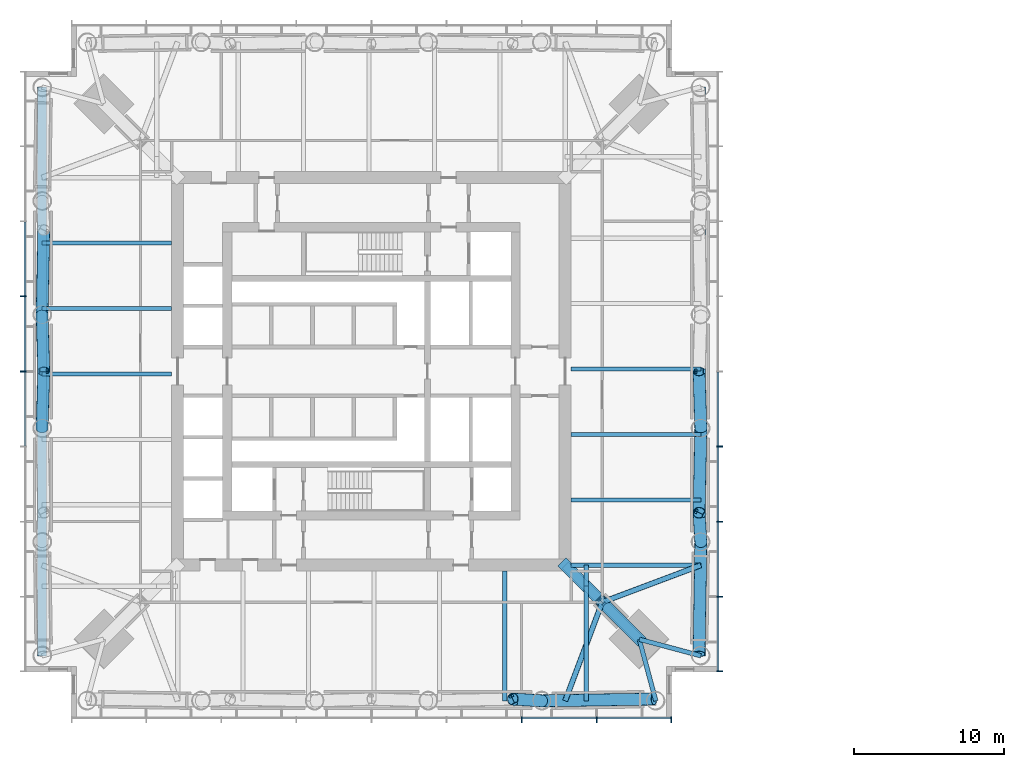
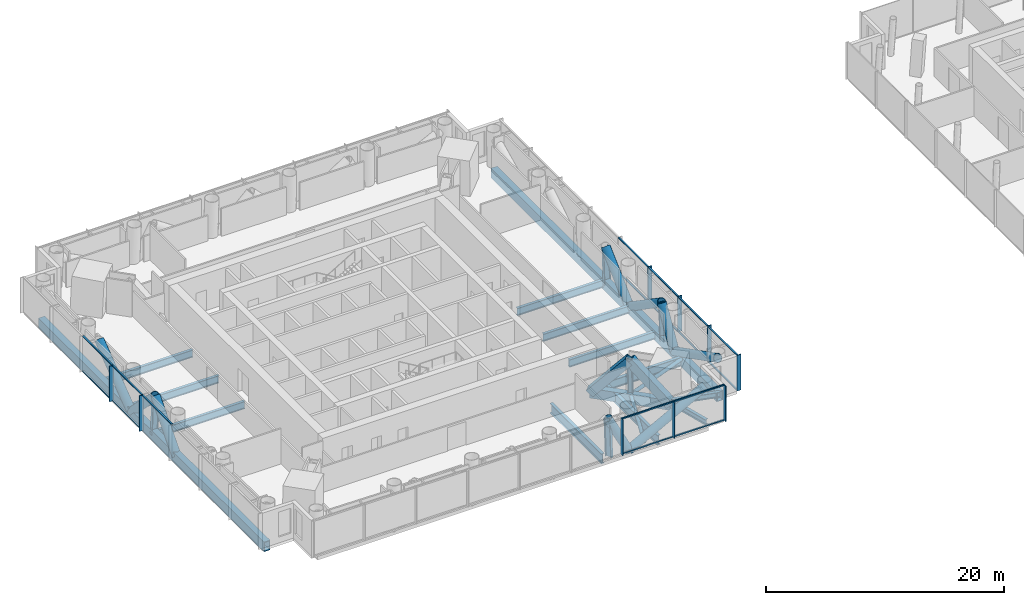
# One storey, part 3 of 18: 47 members, 12 beams, 3 elements without a shape of their own.
"""IFC4 building model written with IfcOpenShell, lengths in metres."""

from ifc_helpers import new_model, si_unit, direction, frame, origin, origin_2d, place, context, subcontext, project, spatial, rectangle, hollow_rectangle, hollow_circle, i_section, extrude, material, material_profile, profile_set, type_object, element, aggregate, save


model = new_model("IFC4")

# Units and contexts
model_context = context("Model", 3, precision=1e-05, world=origin(), true_north=direction((0.0, 1.0)))
body_context = subcontext(model_context, "Body", "Model", "MODEL_VIEW")
ifc_project = project(units=[si_unit("LENGTHUNIT", "METRE"), si_unit("AREAUNIT", "SQUARE_METRE"), si_unit("VOLUMEUNIT", "CUBIC_METRE"), si_unit("PLANEANGLEUNIT", "RADIAN"), si_unit("MASSUNIT", "GRAM", prefix="KILO")], contexts=[model_context])

# Site, building, storey
site_placement = place(None, origin())
site = spatial("IfcSite", under=ifc_project, at=site_placement, CompositionType="ELEMENT")
building_placement = place(site_placement, origin())
building = spatial("IfcBuilding", under=site, at=building_placement, Name="Ostroluk Exchange", CompositionType="ELEMENT")
storey_placement = place(building_placement, frame((0.0, 0.0, 85.60009765625)))
storey = spatial("IfcBuildingStorey", under=building, at=storey_placement, Name="L21", CompositionType="ELEMENT", Elevation=85.60009765625)

# Members
ifc_material_1 = material(Name="Steel S460", Category="steel")
ifc_material_profile_1 = material_profile(ifc_material_1, hollow_rectangle(XDim=0.60009765625, YDim=1.0, WallThickness=0.06005859375, at=origin_2d()), Name="BOX 600x1000x60")
ifc_profile_set_1 = profile_set([ifc_material_profile_1], Name="Steel S460")
member_type_1 = type_object("IfcMemberType", Name="Belt truss chord BOX 600x1000x60", PredefinedType="CHORD", material=ifc_profile_set_1)
for number, where, z_axis, x_axis, name in (
    (1, (66.935791015625, 27.064208984375, -0.780029296875), (0.0, 1.0, 0.0), (-1.0, 0.0, 0.0), "Belt truss 1 east chord 2"),
    (2, (23.064208984375, 64.935791015625, -0.780029296875), (0.0, -1.0, 0.0), (1.0, 0.0, 0.0), "Belt truss 1 west chord 2"),
):
    element("IfcMember", number, at=place(storey_placement, frame(where, z_axis=z_axis, x_axis=x_axis)), inside=storey, type_object=member_type_1, Name=name, PredefinedType="CHORD", context=body_context, shape_type="SweptSolid", body=[
        extrude(hollow_rectangle(XDim=0.60009765625, YDim=1.0, WallThickness=0.06005859375, at=origin_2d()), origin(), (0.0, 0.0, 1.0), 37.87158203125),
    ])
ifc_material_2 = material(Name="Steel S460", Category="steel")
ifc_material_profile_2 = material_profile(ifc_material_2, hollow_circle(Radius=0.406494140625, WallThickness=0.030029296875, at=origin_2d()), Name="CHS 813x30")
ifc_profile_set_2 = profile_set([ifc_material_profile_2], Name="Steel S460")
member_type_2 = type_object("IfcMemberType", Name="Belt truss diagonal CHS 813x30", PredefinedType="BRACE", material=ifc_profile_set_2)
member_1_placement = place(storey_placement, frame((66.935791015625, 34.638671875, -0.780029296875), z_axis=(-0.014468546103, -0.886910254783, 0.461715129853), x_axis=(0.999866962595, -0.016311257162, 0.0)))
element("IfcMember", 3, at=member_1_placement, inside=storey, type_object=member_type_2, Name="Belt truss 1 east diagonal 2.1", PredefinedType="BRACE", context=body_context, shape_type="SweptSolid", body=[
    extrude(hollow_circle(Radius=0.406494140625, WallThickness=0.030029296875, at=origin_2d()), origin(), (0.0, 0.0, 1.0), 8.403076171875),
])
member_2_placement = place(storey_placement, frame((66.935791015625, 34.638671875, -0.780029296875), z_axis=(-0.027976305897, 0.449643277912, 0.892769986579), x_axis=(-0.998070006554, -0.062098808504, 0.0)))
element("IfcMember", 4, at=member_2_placement, inside=storey, type_object=member_type_2, Name="Belt truss 1 east diagonal 2.2", PredefinedType="BRACE", context=body_context, shape_type="SweptSolid", body=[
    extrude(hollow_circle(Radius=0.406494140625, WallThickness=0.030029296875, at=origin_2d()), origin(), (0.0, 0.0, 1.0), 4.345947265625),
])
member_3_placement = place(storey_placement, frame((66.935791015625, 42.212890625, -0.780029296875), z_axis=(-0.017800204783, -0.822812678906, 0.568033844187), x_axis=(0.999766080921, -0.021628301837, 0.0)))
element("IfcMember", 5, at=member_3_placement, inside=storey, type_object=member_type_2, Name="Belt truss 1 east diagonal 2.3", PredefinedType="BRACE", context=body_context, shape_type="SweptSolid", body=[
    extrude(hollow_circle(Radius=0.406494140625, WallThickness=0.030029296875, at=origin_2d()), origin(), (0.0, 0.0, 1.0), 6.830322265625),
])
member_4_placement = place(storey_placement, frame((66.935791015625, 42.212890625, -0.780029296875), z_axis=(-0.022419112202, 0.69832383229, 0.715430785376), x_axis=(-0.999485058916, -0.032087645651, 0.0)))
element("IfcMember", 6, at=member_4_placement, inside=storey, type_object=member_type_2, Name="Belt truss 1 east diagonal 2.4", PredefinedType="BRACE", context=body_context, shape_type="SweptSolid", body=[
    extrude(hollow_circle(Radius=0.406494140625, WallThickness=0.030029296875, at=origin_2d()), origin(), (0.0, 0.0, 1.0), 5.423095703125),
])
member_5_placement = place(storey_placement, frame((23.064208984375, 49.787109375, -0.780029296875), z_axis=(0.017800204783, 0.822812678906, 0.568033844187), x_axis=(-0.999766080921, 0.021628301837, 0.0)))
element("IfcMember", 7, at=member_5_placement, inside=storey, type_object=member_type_2, Name="Belt truss 1 west diagonal 2.3", PredefinedType="BRACE", context=body_context, shape_type="SweptSolid", body=[
    extrude(hollow_circle(Radius=0.406494140625, WallThickness=0.030029296875, at=origin_2d()), origin(), (0.0, 0.0, 1.0), 6.830322265625),
])
for number, where, z_axis, x_axis, name in (
    (8, (23.064208984375, 49.787109375, -0.780029296875), (0.022419112202, -0.69832383229, 0.715430785376), (0.999485058916, 0.032087645651, 0.0), "Belt truss 1 west diagonal 2.4"),
    (9, (23.064208984375, 42.212890625, -0.780029296875), (0.022419112202, 0.69832383229, 0.715430785376), (-0.999485058916, 0.032087645651, 0.0), "Belt truss 1 west diagonal 2.5"),
):
    element("IfcMember", number, at=place(storey_placement, frame(where, z_axis=z_axis, x_axis=x_axis)), inside=storey, type_object=member_type_2, Name=name, PredefinedType="BRACE", context=body_context, shape_type="SweptSolid", body=[
        extrude(hollow_circle(Radius=0.406494140625, WallThickness=0.030029296875, at=origin_2d()), origin(), (0.0, 0.0, 1.0), 5.423095703125),
    ])
member_6_placement = place(storey_placement, frame((56.361328125, 24.064208984375, -0.780029296875), z_axis=(-0.449643277912, 0.027976305897, 0.892769986579), x_axis=(-0.062098808504, -0.998070006554, 0.0)))
element("IfcMember", 10, at=member_6_placement, inside=storey, type_object=member_type_2, Name="Belt truss 1 south diagonal 2.7", PredefinedType="BRACE", context=body_context, shape_type="SweptSolid", body=[
    extrude(hollow_circle(Radius=0.406494140625, WallThickness=0.030029296875, at=origin_2d()), origin(), (0.0, 0.0, 1.0), 4.345947265625),
])
member_7_placement = place(storey_placement, frame((56.361328125, 24.064208984375, -0.780029296875), z_axis=(0.886910254783, 0.014468546103, 0.461715129853), x_axis=(-0.016311257162, 0.999866962595, 0.0)))
element("IfcMember", 11, at=member_7_placement, inside=storey, type_object=member_type_2, Name="Belt truss 1 south diagonal 2.8", PredefinedType="BRACE", context=body_context, shape_type="SweptSolid", body=[
    extrude(hollow_circle(Radius=0.406494140625, WallThickness=0.030029296875, at=origin_2d()), origin(), (0.0, 0.0, 1.0), 8.403076171875),
])
ifc_material_3 = material(Name="Steel S460", Category="steel")
ifc_material_profile_3 = material_profile(ifc_material_3, i_section(OverallWidth=0.304931640625, OverallDepth=0.6201171875, WebThickness=0.02099609375, FlangeThickness=0.0400390625, FilletRadius=0.027099609375, at=origin_2d()), Name="HEM 600")
ifc_profile_set_3 = profile_set([ifc_material_profile_3], Name="Steel S460")
member_type_3 = type_object("IfcMemberType", Name="Belt truss post HEM 600", PredefinedType="POST", material=ifc_profile_set_3)
member_8_placement = place(storey_placement, frame((66.935791015625, 36.5322265625, -0.780029296875), z_axis=(-0.031317337633, 0.015595782596, 0.999387810576), x_axis=(-0.445775033553, -0.895145027055, 0.0)))
element("IfcMember", 12, at=member_8_placement, inside=storey, type_object=member_type_3, Name="Belt truss 1 east post 2.2", PredefinedType="POST", context=body_context, shape_type="SweptSolid", body=[
    extrude(i_section(OverallWidth=0.304931640625, OverallDepth=0.6201171875, WebThickness=0.02099609375, FlangeThickness=0.0400390625, FilletRadius=0.027099609375, at=origin_2d()), origin(), (0.0, 0.0, 1.0), 3.88232421875),
])
for number, where, z_axis, x_axis, name in (
    (13, (66.935791015625, 46.0, -0.780029296875), (-0.031321146962, 0.0, 0.999509372519), (0.0, -1.0, 0.0), "Belt truss 1 east post 2.4"),
    (14, (23.064208984375, 46.0, -0.780029296875), (0.031321146962, 0.0, 0.999509372519), (0.0, 1.0, 0.0), "Belt truss 1 west post 2.4"),
):
    element("IfcMember", number, at=place(storey_placement, frame(where, z_axis=z_axis, x_axis=x_axis)), inside=storey, type_object=member_type_3, Name=name, PredefinedType="POST", context=body_context, shape_type="SweptSolid", body=[
        extrude(i_section(OverallWidth=0.304931640625, OverallDepth=0.6201171875, WebThickness=0.02099609375, FlangeThickness=0.0400390625, FilletRadius=0.027099609375, at=origin_2d()), origin(), (0.0, 0.0, 1.0), 3.8818359375),
    ])
member_9_placement = place(storey_placement, frame((54.4677734375, 24.064208984375, -0.780029296875), z_axis=(-0.015595782596, 0.031317337633, 0.999387810576), x_axis=(-0.895145027055, -0.445775033553, 0.0)))
element("IfcMember", 15, at=member_9_placement, inside=storey, type_object=member_type_3, Name="Belt truss 1 south post 2.6", PredefinedType="POST", context=body_context, shape_type="SweptSolid", body=[
    extrude(i_section(OverallWidth=0.304931640625, OverallDepth=0.6201171875, WebThickness=0.02099609375, FlangeThickness=0.0400390625, FilletRadius=0.027099609375, at=origin_2d()), origin(), (0.0, 0.0, 1.0), 3.88232421875),
])

# Beams
ifc_material_4 = material(Name="Steel S355", Category="steel")
ifc_material_profile_4 = material_profile(ifc_material_4, i_section(OverallWidth=0.300048828125, OverallDepth=0.550048828125, WebThickness=0.014892578125, FlangeThickness=0.029052734375, FilletRadius=0.027099609375, at=origin_2d()), Name="HEB 550")
ifc_profile_set_4 = profile_set([ifc_material_profile_4], Name="Steel S355")
beam_type_1 = type_object("IfcBeamType", Name="Corner edge beam HEB 550", PredefinedType="SPANDREL", material=ifc_profile_set_4)
for number, where, z_axis, x_axis, name in (
    (16, (62.835693359375, 28.164306640625, -0.55517578125), (0.259144268261, -0.965838624319, 0.0), (0.965838624319, 0.259144268261, 0.0), "T1 south corner edge beam a"),
    (17, (62.835693359375, 28.164306640625, -0.55517578125), (0.965838624319, -0.259144268261, 0.0), (0.259144268261, 0.965838624319, 0.0), "T1 south corner edge beam b"),
):
    element("IfcBeam", number, at=place(storey_placement, frame(where, z_axis=z_axis, x_axis=x_axis)), inside=storey, type_object=beam_type_1, Name=name, PredefinedType="SPANDREL", context=body_context, shape_type="SweptSolid", body=[
        extrude(i_section(OverallWidth=0.300048828125, OverallDepth=0.550048828125, WebThickness=0.014892578125, FlangeThickness=0.029052734375, FilletRadius=0.027099609375, at=origin_2d()), origin(), (0.0, 0.0, 1.0), 4.2451171875),
    ])
ifc_material_5 = material(Name="Steel S355", Category="steel")
ifc_material_profile_5 = material_profile(ifc_material_5, i_section(OverallWidth=0.302001953125, OverallDepth=1.008056640625, WebThickness=0.02099609375, FlangeThickness=0.0400390625, FilletRadius=0.030029296875, at=origin_2d()), Name="HEM 1000")
ifc_profile_set_5 = profile_set([ifc_material_profile_5], Name="Steel S355")
beam_type_2 = type_object("IfcBeamType", Name="Floor beam HEM 1000", PredefinedType="BEAM", material=ifc_profile_set_5)
beam_1_placement = place(storey_placement, frame((53.872314453125, 32.699951171875, -0.7841796875), z_axis=(0.0, -1.0, 0.0), x_axis=(1.0, 0.0, 0.0)))
element("IfcBeam", 18, at=beam_1_placement, inside=storey, type_object=beam_type_2, Name="T1 south floor beam 5", PredefinedType="BEAM", context=body_context, shape_type="SweptSolid", body=[
    extrude(i_section(OverallWidth=0.302001953125, OverallDepth=1.008056640625, WebThickness=0.02099609375, FlangeThickness=0.0400390625, FilletRadius=0.030029296875, at=origin_2d()), origin(), (0.0, 0.0, 1.0), 8.6357421875),
])
beam_2_placement = place(storey_placement, frame((59.300048828125, 33.10009765625, -0.7841796875), z_axis=(0.0, -1.0, 0.0), x_axis=(1.0, 0.0, 0.0)))
element("IfcBeam", 19, at=beam_2_placement, inside=storey, type_object=beam_type_2, Name="T1 south floor beam 6", PredefinedType="BEAM", context=body_context, shape_type="SweptSolid", body=[
    extrude(i_section(OverallWidth=0.302001953125, OverallDepth=1.008056640625, WebThickness=0.02099609375, FlangeThickness=0.0400390625, FilletRadius=0.030029296875, at=origin_2d()), origin(), (0.0, 0.0, 1.0), 1.400146484375),
])
beam_3_placement = place(storey_placement, frame((59.300048828125, 31.699951171875, -0.7841796875), z_axis=(0.0, -1.0, 0.0), x_axis=(1.0, 0.0, 0.0)))
element("IfcBeam", 20, at=beam_3_placement, inside=storey, type_object=beam_type_2, Name="T1 south floor beam 6", PredefinedType="BEAM", context=body_context, shape_type="SweptSolid", body=[
    extrude(i_section(OverallWidth=0.302001953125, OverallDepth=1.008056640625, WebThickness=0.02099609375, FlangeThickness=0.0400390625, FilletRadius=0.030029296875, at=origin_2d()), origin(), (0.0, 0.0, 1.0), 7.6357421875),
])
ifc_material_6 = material(Name="Steel S355", Category="steel")
ifc_material_profile_6 = material_profile(ifc_material_6, i_section(OverallWidth=0.26708984375, OverallDepth=0.761962890625, WebThickness=0.014404296875, FlangeThickness=0.021484375, FilletRadius=0.01708984375, at=origin_2d()), Name="IPE 750x173")
ifc_profile_set_6 = profile_set([ifc_material_profile_6], Name="Steel S355")
beam_type_3 = type_object("IfcBeamType", Name="Floor beam IPE 750x173", PredefinedType="BEAM", material=ifc_profile_set_6)
for number, where, z_axis, x_axis, name in (
    (21, (58.300048828125, 37.454345703125, -0.6611328125), (1.0, 0.0, 0.0), (0.0, 1.0, 0.0), "T1 east floor beam 1"),
    (22, (58.300048828125, 41.808837890625, -0.6611328125), (1.0, 0.0, 0.0), (0.0, 1.0, 0.0), "T1 east floor beam 2"),
    (23, (58.300048828125, 46.163330078125, -0.6611328125), (1.0, 0.0, 0.0), (0.0, 1.0, 0.0), "T1 east floor beam 3"),
    (24, (31.699951171875, 54.545654296875, -0.6611328125), (-1.0, 0.0, 0.0), (0.0, -1.0, 0.0), "T1 west floor beam 1"),
    (25, (31.699951171875, 50.191162109375, -0.6611328125), (-1.0, 0.0, 0.0), (0.0, -1.0, 0.0), "T1 west floor beam 2"),
    (26, (31.699951171875, 45.836669921875, -0.6611328125), (-1.0, 0.0, 0.0), (0.0, -1.0, 0.0), "T1 west floor beam 3"),
):
    element("IfcBeam", number, at=place(storey_placement, frame(where, z_axis=z_axis, x_axis=x_axis)), inside=storey, type_object=beam_type_3, Name=name, PredefinedType="BEAM", context=body_context, shape_type="SweptSolid", body=[
        extrude(i_section(OverallWidth=0.26708984375, OverallDepth=0.761962890625, WebThickness=0.014404296875, FlangeThickness=0.021484375, FilletRadius=0.01708984375, at=origin_2d()), origin(), (0.0, 0.0, 1.0), 8.6357421875),
    ])
ifc_material_7 = material(Name="Steel S355", Category="steel")
ifc_material_profile_7 = material_profile(ifc_material_7, i_section(OverallWidth=0.300048828125, OverallDepth=0.89990234375, WebThickness=0.0185546875, FlangeThickness=0.034912109375, FilletRadius=0.030029296875, at=origin_2d()), Name="HEB 900")
ifc_profile_set_7 = profile_set([ifc_material_profile_7], Name="Steel S355")
beam_type_4 = type_object("IfcBeamType", Name="Girder HEB 900", PredefinedType="BEAM", material=ifc_profile_set_7)
beam_4_placement = place(storey_placement, frame((58.300048828125, 33.10009765625, -0.72998046875), z_axis=(1.0, 0.0, 0.0), x_axis=(0.0, 1.0, 0.0)))
element("IfcBeam", 27, at=beam_4_placement, inside=storey, type_object=beam_type_4, Name="T1 south girder", PredefinedType="BEAM", context=body_context, shape_type="SweptSolid", body=[
    extrude(i_section(OverallWidth=0.300048828125, OverallDepth=0.89990234375, WebThickness=0.0185546875, FlangeThickness=0.034912109375, FilletRadius=0.030029296875, at=origin_2d()), origin(), (0.0, 0.0, 1.0), 8.6357421875),
])

# Members
ifc_material_8 = material(Name="Steel S460", Category="steel")
ifc_material_profile_8 = material_profile(ifc_material_8, hollow_rectangle(XDim=0.60009765625, YDim=1.0, WallThickness=0.06005859375, at=origin_2d()), Name="BOX 600x1000x60")
ifc_profile_set_8 = profile_set([ifc_material_profile_8], Name="Steel S460")
member_type_4 = type_object("IfcMemberType", Name="Outrigger chord BOX 600x1000x60", PredefinedType="CHORD", material=ifc_profile_set_8)
member_10_placement = place(storey_placement, frame((57.89990234375, 33.10009765625, -0.780029296875), z_axis=(0.707106781187, -0.707106781187, 0.0), x_axis=(0.707106781187, 0.707106781187, 0.0)))
element("IfcMember", 28, at=member_10_placement, inside=storey, type_object=member_type_4, Name="Outrigger 1 SE chord 2", PredefinedType="CHORD", context=body_context, shape_type="SweptSolid", body=[
    extrude(hollow_rectangle(XDim=0.60009765625, YDim=1.0, WallThickness=0.06005859375, at=origin_2d()), origin(), (0.0, 0.0, 1.0), 6.980224609375),
])
ifc_material_9 = material(Name="Steel S460", Category="steel")
ifc_material_profile_9 = material_profile(ifc_material_9, hollow_rectangle(XDim=0.800048828125, YDim=0.800048828125, WallThickness=0.050048828125, at=origin_2d()), Name="BOX 800x800x50")
ifc_profile_set_9 = profile_set([ifc_material_profile_9], Name="Steel S460")
member_type_5 = type_object("IfcMemberType", Name="Outrigger diagonal BOX 800x800x50", PredefinedType="BRACE", material=ifc_profile_set_9)
member_11_placement = place(storey_placement, frame((57.89990234375, 33.10009765625, -0.780029296875), z_axis=(0.46636467632, -0.46636467632, 0.751670125362), x_axis=(0.707106781187, 0.707106781187, 0.0)))
element("IfcMember", 29, at=member_11_placement, inside=storey, type_object=member_type_5, Name="Outrigger 1 SE diagonal 2a", PredefinedType="BRACE", context=body_context, shape_type="SweptSolid", body=[
    extrude(hollow_rectangle(XDim=0.800048828125, YDim=0.800048828125, WallThickness=0.050048828125, at=origin_2d()), origin(), (0.0, 0.0, 1.0), 5.16162109375),
])
member_12_placement = place(storey_placement, frame((60.30712890625, 30.69287109375, 3.099853515625), z_axis=(0.479218339765, -0.479218339765, -0.735322762918), x_axis=(0.707106781187, 0.707106781187, 0.0)))
element("IfcMember", 30, at=member_12_placement, inside=storey, type_object=member_type_5, Name="Outrigger 1 SE diagonal 2b", PredefinedType="BRACE", context=body_context, shape_type="SweptSolid", body=[
    extrude(hollow_rectangle(XDim=0.800048828125, YDim=0.800048828125, WallThickness=0.050048828125, at=origin_2d()), origin(), (0.0, 0.0, 1.0), 5.2763671875),
])
ifc_material_10 = material(Name="Steel S460", Category="steel")
ifc_material_profile_10 = material_profile(ifc_material_10, i_section(OverallWidth=0.306884765625, OverallDepth=0.431884765625, WebThickness=0.02099609375, FlangeThickness=0.0400390625, FilletRadius=0.027099609375, at=origin_2d()), Name="HEM 400")
ifc_profile_set_10 = profile_set([ifc_material_profile_10], Name="Steel S460")
member_type_6 = type_object("IfcMemberType", Name="Outrigger post HEM 400", PredefinedType="POST", material=ifc_profile_set_10)
member_13_placement = place(storey_placement, frame((60.367919921875, 30.632080078125, -0.780029296875), z_axis=(-0.015664415706, 0.015664415706, 0.999754595969), x_axis=(-0.707106781187, -0.707106781187, 0.0)))
element("IfcMember", 31, at=member_13_placement, inside=storey, type_object=member_type_6, Name="Outrigger 1 SE post 2", PredefinedType="POST", context=body_context, shape_type="SweptSolid", body=[
    extrude(i_section(OverallWidth=0.306884765625, OverallDepth=0.431884765625, WebThickness=0.02099609375, FlangeThickness=0.0400390625, FilletRadius=0.027099609375, at=origin_2d()), origin(), (0.0, 0.0, 1.0), 3.880859375),
])
ifc_material_11 = material(Name="Steel S460", Category="steel")
ifc_material_profile_11 = material_profile(ifc_material_11, hollow_circle(Radius=0.177734375, WallThickness=0.012451171875, at=origin_2d()), Name="CHS 355.6x12.5")
ifc_profile_set_11 = profile_set([ifc_material_profile_11], Name="Steel S460")
member_type_7 = type_object("IfcMemberType", Name="Plan bracing CHS 355.6x12.5", PredefinedType="BRACE", material=ifc_profile_set_11)
for number, where, z_axis, x_axis, name in (
    (32, (60.367919921875, 30.632080078125, -0.4580078125), (-0.351756369041, -0.936091585711, 0.0), (0.936091585711, -0.351756369041, 0.0), "Plan bracing L21 SE a"),
    (33, (60.367919921875, 30.632080078125, -0.4580078125), (0.936091585711, 0.351756369041, 0.0), (-0.351756369041, 0.936091585711, 0.0), "Plan bracing L21 SE b"),
):
    element("IfcMember", number, at=place(storey_placement, frame(where, z_axis=z_axis, x_axis=x_axis)), inside=storey, type_object=member_type_7, Name=name, PredefinedType="BRACE", context=body_context, shape_type="SweptSolid", body=[
        extrude(hollow_circle(Radius=0.177734375, WallThickness=0.012451171875, at=origin_2d()), origin(), (0.0, 0.0, 1.0), 7.016357421875),
    ])

# Curtain wall, members
ifc_material_12 = material(Name="Laminated clear glass", Category="glass")
curtain_wall_type = type_object("IfcCurtainWallType", Name="Office tower plant and sky lobby facade", PredefinedType="USERDEFINED", material=ifc_material_12)
curtain_wall_1_placement = place(storey_placement, origin())
curtain_wall_1 = element("IfcCurtainWall", 34, at=curtain_wall_1_placement, inside=storey, type_object=curtain_wall_type, Name="Office tower south facade L21", ObjectType="LOUVRED CURTAIN WALL", PredefinedType="USERDEFINED")
ifc_material_13 = material(Name="Aluminium mullion", Category="aluminium")
ifc_material_profile_12 = material_profile(ifc_material_13, rectangle(XDim=0.14990234375, YDim=0.080078125, at=origin_2d()), Name="Sill transom 80 x 150")
ifc_profile_set_12 = profile_set([ifc_material_profile_12], Name="Aluminium mullion")
member_type_8 = type_object("IfcMemberType", Name="Sill transom 80 x 150", PredefinedType="USERDEFINED", material=ifc_profile_set_12)
member_14_placement = place(storey_placement, frame((55.0400390625, 22.925048828125, 0.039794921875), z_axis=(1.0, 0.0, 0.0), x_axis=(0.0, 1.0, 0.0)))
member_14 = element("IfcMember", 35, at=member_14_placement, type_object=member_type_8, Name="CW-P1 transom 7.1", ObjectType="TRANSOM", PredefinedType="USERDEFINED", context=body_context, shape_type="SweptSolid", body=[
    extrude(rectangle(XDim=0.14990234375, YDim=0.080078125, at=origin_2d()), origin(), (0.0, 0.0, 1.0), 4.919921875),
])
member_15_placement = place(storey_placement, frame((55.0400390625, 22.925048828125, 3.60986328125), z_axis=(1.0, 0.0, 0.0), x_axis=(0.0, 1.0, 0.0)))
member_15 = element("IfcMember", 36, at=member_15_placement, type_object=member_type_8, Name="CW-P1 transom 7.2", ObjectType="TRANSOM", PredefinedType="USERDEFINED", context=body_context, shape_type="SweptSolid", body=[
    extrude(rectangle(XDim=0.14990234375, YDim=0.080078125, at=origin_2d()), origin(), (0.0, 0.0, 1.0), 4.919921875),
])
member_16_placement = place(storey_placement, frame((60.0400390625, 22.925048828125, 0.039794921875), z_axis=(1.0, 0.0, 0.0), x_axis=(0.0, 1.0, 0.0)))
member_16 = element("IfcMember", 37, at=member_16_placement, type_object=member_type_8, Name="CW-P1 transom 8.1", ObjectType="TRANSOM", PredefinedType="USERDEFINED", context=body_context, shape_type="SweptSolid", body=[
    extrude(rectangle(XDim=0.14990234375, YDim=0.080078125, at=origin_2d()), origin(), (0.0, 0.0, 1.0), 4.8798828125),
])
member_17_placement = place(storey_placement, frame((60.0400390625, 22.925048828125, 3.60986328125), z_axis=(1.0, 0.0, 0.0), x_axis=(0.0, 1.0, 0.0)))
member_17 = element("IfcMember", 38, at=member_17_placement, type_object=member_type_8, Name="CW-P1 transom 8.2", ObjectType="TRANSOM", PredefinedType="USERDEFINED", context=body_context, shape_type="SweptSolid", body=[
    extrude(rectangle(XDim=0.14990234375, YDim=0.080078125, at=origin_2d()), origin(), (0.0, 0.0, 1.0), 4.8798828125),
])

curtain_wall_2_placement = place(storey_placement, origin())
curtain_wall_2 = element("IfcCurtainWall", 39, at=curtain_wall_2_placement, inside=storey, type_object=curtain_wall_type, Name="Office tower east facade L21", ObjectType="LOUVRED CURTAIN WALL", PredefinedType="USERDEFINED")
member_18_placement = place(storey_placement, frame((68.074951171875, 26.080078125, 0.039794921875), z_axis=(0.0, 1.0, 0.0), x_axis=(-1.0, 0.0, 0.0)))
member_18 = element("IfcMember", 40, at=member_18_placement, type_object=member_type_8, Name="CW-P1 transom 1.1", ObjectType="TRANSOM", PredefinedType="USERDEFINED", context=body_context, shape_type="SweptSolid", body=[
    extrude(rectangle(XDim=0.14990234375, YDim=0.080078125, at=origin_2d()), origin(), (0.0, 0.0, 1.0), 4.8798828125),
])
member_19_placement = place(storey_placement, frame((68.074951171875, 26.080078125, 3.60986328125), z_axis=(0.0, 1.0, 0.0), x_axis=(-1.0, 0.0, 0.0)))
member_19 = element("IfcMember", 41, at=member_19_placement, type_object=member_type_8, Name="CW-P1 transom 1.2", ObjectType="TRANSOM", PredefinedType="USERDEFINED", context=body_context, shape_type="SweptSolid", body=[
    extrude(rectangle(XDim=0.14990234375, YDim=0.080078125, at=origin_2d()), origin(), (0.0, 0.0, 1.0), 4.8798828125),
])
member_20_placement = place(storey_placement, frame((68.074951171875, 31.0400390625, 0.039794921875), z_axis=(0.0, 1.0, 0.0), x_axis=(-1.0, 0.0, 0.0)))
member_20 = element("IfcMember", 42, at=member_20_placement, type_object=member_type_8, Name="CW-P1 transom 2.1", ObjectType="TRANSOM", PredefinedType="USERDEFINED", context=body_context, shape_type="SweptSolid", body=[
    extrude(rectangle(XDim=0.14990234375, YDim=0.080078125, at=origin_2d()), origin(), (0.0, 0.0, 1.0), 4.919921875),
])
member_21_placement = place(storey_placement, frame((68.074951171875, 31.0400390625, 3.60986328125), z_axis=(0.0, 1.0, 0.0), x_axis=(-1.0, 0.0, 0.0)))
member_21 = element("IfcMember", 43, at=member_21_placement, type_object=member_type_8, Name="CW-P1 transom 2.2", ObjectType="TRANSOM", PredefinedType="USERDEFINED", context=body_context, shape_type="SweptSolid", body=[
    extrude(rectangle(XDim=0.14990234375, YDim=0.080078125, at=origin_2d()), origin(), (0.0, 0.0, 1.0), 4.919921875),
])
member_22_placement = place(storey_placement, frame((68.074951171875, 36.0400390625, 0.039794921875), z_axis=(0.0, 1.0, 0.0), x_axis=(-1.0, 0.0, 0.0)))
member_22 = element("IfcMember", 44, at=member_22_placement, type_object=member_type_8, Name="CW-P1 transom 3.1", ObjectType="TRANSOM", PredefinedType="USERDEFINED", context=body_context, shape_type="SweptSolid", body=[
    extrude(rectangle(XDim=0.14990234375, YDim=0.080078125, at=origin_2d()), origin(), (0.0, 0.0, 1.0), 4.919921875),
])
member_23_placement = place(storey_placement, frame((68.074951171875, 36.0400390625, 3.60986328125), z_axis=(0.0, 1.0, 0.0), x_axis=(-1.0, 0.0, 0.0)))
member_23 = element("IfcMember", 45, at=member_23_placement, type_object=member_type_8, Name="CW-P1 transom 3.2", ObjectType="TRANSOM", PredefinedType="USERDEFINED", context=body_context, shape_type="SweptSolid", body=[
    extrude(rectangle(XDim=0.14990234375, YDim=0.080078125, at=origin_2d()), origin(), (0.0, 0.0, 1.0), 4.919921875),
])
member_24_placement = place(storey_placement, frame((68.074951171875, 41.0400390625, 0.039794921875), z_axis=(0.0, 1.0, 0.0), x_axis=(-1.0, 0.0, 0.0)))
member_24 = element("IfcMember", 46, at=member_24_placement, type_object=member_type_8, Name="CW-P1 transom 4.1", ObjectType="TRANSOM", PredefinedType="USERDEFINED", context=body_context, shape_type="SweptSolid", body=[
    extrude(rectangle(XDim=0.14990234375, YDim=0.080078125, at=origin_2d()), origin(), (0.0, 0.0, 1.0), 4.919921875),
])
member_25_placement = place(storey_placement, frame((68.074951171875, 41.0400390625, 3.60986328125), z_axis=(0.0, 1.0, 0.0), x_axis=(-1.0, 0.0, 0.0)))
member_25 = element("IfcMember", 47, at=member_25_placement, type_object=member_type_8, Name="CW-P1 transom 4.2", ObjectType="TRANSOM", PredefinedType="USERDEFINED", context=body_context, shape_type="SweptSolid", body=[
    extrude(rectangle(XDim=0.14990234375, YDim=0.080078125, at=origin_2d()), origin(), (0.0, 0.0, 1.0), 4.919921875),
])

curtain_wall_3_placement = place(storey_placement, origin())
curtain_wall_3 = element("IfcCurtainWall", 48, at=curtain_wall_3_placement, inside=storey, type_object=curtain_wall_type, Name="Office tower west facade L21", ObjectType="LOUVRED CURTAIN WALL", PredefinedType="USERDEFINED")
member_26_placement = place(storey_placement, frame((21.925048828125, 55.9599609375, 0.039794921875), z_axis=(0.0, -1.0, 0.0), x_axis=(1.0, 0.0, 0.0)))
member_26 = element("IfcMember", 49, at=member_26_placement, type_object=member_type_8, Name="CW-P1 transom 3.1", ObjectType="TRANSOM", PredefinedType="USERDEFINED", context=body_context, shape_type="SweptSolid", body=[
    extrude(rectangle(XDim=0.14990234375, YDim=0.080078125, at=origin_2d()), origin(), (0.0, 0.0, 1.0), 4.919921875),
])
member_27_placement = place(storey_placement, frame((21.925048828125, 55.9599609375, 3.60986328125), z_axis=(0.0, -1.0, 0.0), x_axis=(1.0, 0.0, 0.0)))
member_27 = element("IfcMember", 50, at=member_27_placement, type_object=member_type_8, Name="CW-P1 transom 3.2", ObjectType="TRANSOM", PredefinedType="USERDEFINED", context=body_context, shape_type="SweptSolid", body=[
    extrude(rectangle(XDim=0.14990234375, YDim=0.080078125, at=origin_2d()), origin(), (0.0, 0.0, 1.0), 4.919921875),
])
member_28_placement = place(storey_placement, frame((21.925048828125, 50.9599609375, 0.039794921875), z_axis=(0.0, -1.0, 0.0), x_axis=(1.0, 0.0, 0.0)))
member_28 = element("IfcMember", 51, at=member_28_placement, type_object=member_type_8, Name="CW-P1 transom 4.1", ObjectType="TRANSOM", PredefinedType="USERDEFINED", context=body_context, shape_type="SweptSolid", body=[
    extrude(rectangle(XDim=0.14990234375, YDim=0.080078125, at=origin_2d()), origin(), (0.0, 0.0, 1.0), 4.919921875),
])
member_29_placement = place(storey_placement, frame((21.925048828125, 50.9599609375, 3.60986328125), z_axis=(0.0, -1.0, 0.0), x_axis=(1.0, 0.0, 0.0)))
member_29 = element("IfcMember", 52, at=member_29_placement, type_object=member_type_8, Name="CW-P1 transom 4.2", ObjectType="TRANSOM", PredefinedType="USERDEFINED", context=body_context, shape_type="SweptSolid", body=[
    extrude(rectangle(XDim=0.14990234375, YDim=0.080078125, at=origin_2d()), origin(), (0.0, 0.0, 1.0), 4.919921875),
])
member_30_placement = place(storey_placement, frame((21.925048828125, 45.9599609375, 3.60986328125), z_axis=(0.0, -1.0, 0.0), x_axis=(1.0, 0.0, 0.0)))
member_30 = element("IfcMember", 53, at=member_30_placement, type_object=member_type_8, Name="CW-P1 transom 5.2", ObjectType="TRANSOM", PredefinedType="USERDEFINED", context=body_context, shape_type="SweptSolid", body=[
    extrude(rectangle(XDim=0.14990234375, YDim=0.080078125, at=origin_2d()), origin(), (0.0, 0.0, 1.0), 4.919921875),
])

# Member
ifc_material_14 = material(Name="Aluminium mullion with limestone facing", Category="masonry")
ifc_material_profile_13 = material_profile(ifc_material_14, rectangle(XDim=0.39990234375, YDim=0.080078125, at=origin_2d()), Name="Tracery mullion 80 x 400")
ifc_profile_set_13 = profile_set([ifc_material_profile_13], Name="Aluminium mullion with limestone facing")
member_type_9 = type_object("IfcMemberType", Name="Tracery mullion 80 x 400", PredefinedType="MULLION", material=ifc_profile_set_13)
member_31_placement = place(storey_placement, frame((55.0, 22.800048828125, 0.0), z_axis=(0.0, 0.0, 1.0), x_axis=(0.0, 1.0, 0.0)))
member_31 = element("IfcMember", 54, at=member_31_placement, type_object=member_type_9, Name="CW-P1 mullion 7", PredefinedType="MULLION", context=body_context, shape_type="SweptSolid", body=[
    extrude(rectangle(XDim=0.39990234375, YDim=0.080078125, at=origin_2d()), origin(), (0.0, 0.0, 1.0), 3.64990234375),
])

member_32_placement = place(storey_placement, frame((60.0, 22.800048828125, 0.0), z_axis=(0.0, 0.0, 1.0), x_axis=(0.0, 1.0, 0.0)))
member_32 = element("IfcMember", 55, at=member_32_placement, type_object=member_type_9, Name="CW-P1 mullion 8", PredefinedType="MULLION", context=body_context, shape_type="SweptSolid", body=[
    extrude(rectangle(XDim=0.39990234375, YDim=0.080078125, at=origin_2d()), origin(), (0.0, 0.0, 1.0), 3.64990234375),
])

member_33_placement = place(storey_placement, frame((64.9599609375, 22.800048828125, 0.0), z_axis=(0.0, 0.0, 1.0), x_axis=(0.0, 1.0, 0.0)))
member_33 = element("IfcMember", 56, at=member_33_placement, type_object=member_type_9, Name="CW-P1 mullion 9", PredefinedType="MULLION", context=body_context, shape_type="SweptSolid", body=[
    extrude(rectangle(XDim=0.39990234375, YDim=0.080078125, at=origin_2d()), origin(), (0.0, 0.0, 1.0), 3.64990234375),
])

aggregate(curtain_wall_1, [member_31, member_32, member_33, member_14, member_15, member_16, member_17])

member_34_placement = place(storey_placement, frame((68.199951171875, 26.0400390625, 0.0), z_axis=(0.0, 0.0, 1.0), x_axis=(-1.0, 0.0, 0.0)))
member_34 = element("IfcMember", 57, at=member_34_placement, type_object=member_type_9, Name="CW-P1 mullion 1", PredefinedType="MULLION", context=body_context, shape_type="SweptSolid", body=[
    extrude(rectangle(XDim=0.39990234375, YDim=0.080078125, at=origin_2d()), origin(), (0.0, 0.0, 1.0), 3.64990234375),
])

member_35_placement = place(storey_placement, frame((68.199951171875, 31.0, 0.0), z_axis=(0.0, 0.0, 1.0), x_axis=(-1.0, 0.0, 0.0)))
member_35 = element("IfcMember", 58, at=member_35_placement, type_object=member_type_9, Name="CW-P1 mullion 2", PredefinedType="MULLION", context=body_context, shape_type="SweptSolid", body=[
    extrude(rectangle(XDim=0.39990234375, YDim=0.080078125, at=origin_2d()), origin(), (0.0, 0.0, 1.0), 3.64990234375),
])

member_36_placement = place(storey_placement, frame((68.199951171875, 36.0, 0.0), z_axis=(0.0, 0.0, 1.0), x_axis=(-1.0, 0.0, 0.0)))
member_36 = element("IfcMember", 59, at=member_36_placement, type_object=member_type_9, Name="CW-P1 mullion 3", PredefinedType="MULLION", context=body_context, shape_type="SweptSolid", body=[
    extrude(rectangle(XDim=0.39990234375, YDim=0.080078125, at=origin_2d()), origin(), (0.0, 0.0, 1.0), 3.64990234375),
])

member_37_placement = place(storey_placement, frame((68.199951171875, 41.0, 0.0), z_axis=(0.0, 0.0, 1.0), x_axis=(-1.0, 0.0, 0.0)))
member_37 = element("IfcMember", 60, at=member_37_placement, type_object=member_type_9, Name="CW-P1 mullion 4", PredefinedType="MULLION", context=body_context, shape_type="SweptSolid", body=[
    extrude(rectangle(XDim=0.39990234375, YDim=0.080078125, at=origin_2d()), origin(), (0.0, 0.0, 1.0), 3.64990234375),
])

aggregate(curtain_wall_2, [member_34, member_35, member_36, member_37, member_18, member_19, member_20, member_21, member_22, member_23, member_24, member_25])

member_38_placement = place(storey_placement, frame((21.800048828125, 51.0, 0.0), z_axis=(0.0, 0.0, 1.0), x_axis=(1.0, 0.0, 0.0)))
member_38 = element("IfcMember", 61, at=member_38_placement, type_object=member_type_9, Name="CW-P1 mullion 4", PredefinedType="MULLION", context=body_context, shape_type="SweptSolid", body=[
    extrude(rectangle(XDim=0.39990234375, YDim=0.080078125, at=origin_2d()), origin(), (0.0, 0.0, 1.0), 3.64990234375),
])

member_39_placement = place(storey_placement, frame((21.800048828125, 46.0, 0.0), z_axis=(0.0, 0.0, 1.0), x_axis=(1.0, 0.0, 0.0)))
member_39 = element("IfcMember", 62, at=member_39_placement, type_object=member_type_9, Name="CW-P1 mullion 5", PredefinedType="MULLION", context=body_context, shape_type="SweptSolid", body=[
    extrude(rectangle(XDim=0.39990234375, YDim=0.080078125, at=origin_2d()), origin(), (0.0, 0.0, 1.0), 3.64990234375),
])

aggregate(curtain_wall_3, [member_38, member_39, member_26, member_27, member_28, member_29, member_30])

save(model, "model.ifc")
